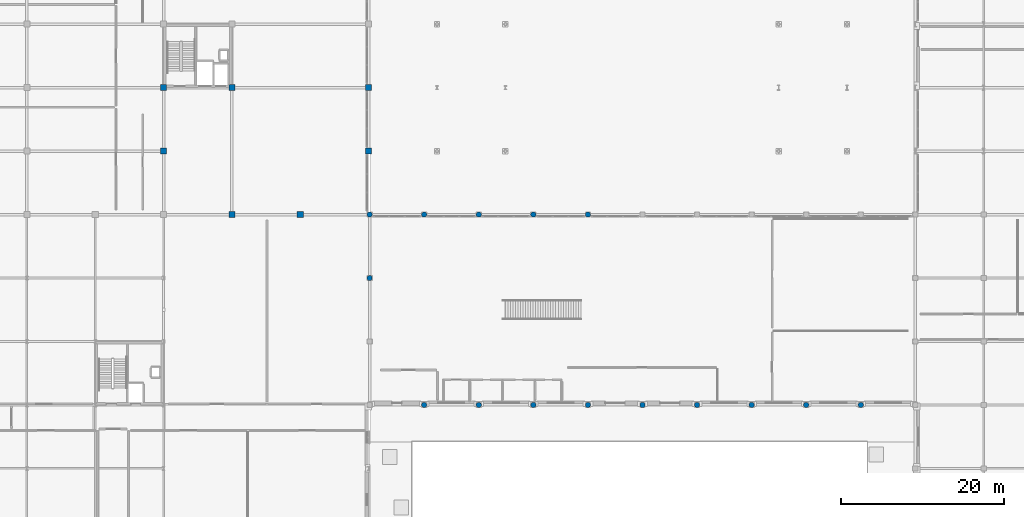
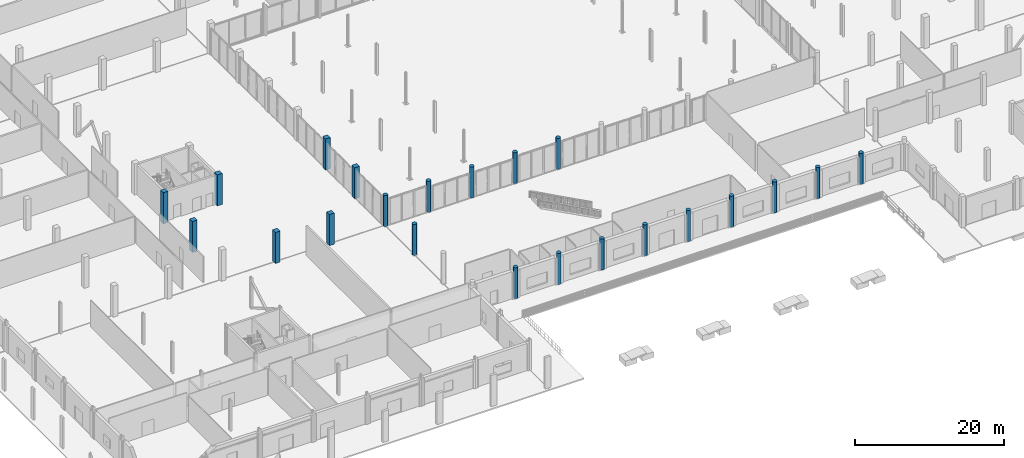
# One storey, part 5 of 80: 22 columns.
"""IFC4 building model written with IfcOpenShell, lengths in metres."""

import ifcopenshell
import ifcopenshell.guid

model = None  # the IFC model being written
_history = None  # IfcOwnerHistory: only IFC2X3 demands one
_inside = {}  # id of a spatial element -> (the spatial element, [elements in it])
_under = {}  # id of a project, library or spatial element -> (it, [spatial elements below it])
_declared = {}  # id of a project -> (the project, [libraries it declares])
_typed = {}  # id of a type object -> (the type object, [elements of that type])
_made_of = {}  # id of a material, layer set ... -> (it, [elements and type objects made of it])


def new_model(schema):
    """Start an empty IFC model of exactly this schema.

    Asked for "IFC4X3", IfcOpenShell would pick the latest addendum, in which some entities
    have other attributes; the version numbers below select the first issue.
    IFC2X3 requires an IfcOwnerHistory on every rooted entity: one is made here for all.
    """
    global model, _history
    if schema == "IFC4X3":
        model = ifcopenshell.file(schema_version=(4, 3, 0, 0))
    else:
        model = ifcopenshell.file(schema=schema)
    _inside.clear()
    _under.clear()
    _declared.clear()
    _typed.clear()
    _made_of.clear()
    _history = None
    if model.schema == "IFC2X3":
        org = make("IfcOrganization", Name="unknown")
        user = make(
            "IfcPersonAndOrganization",
            ThePerson=make("IfcPerson", FamilyName="unknown"),
            TheOrganization=org,
        )
        app = make(
            "IfcApplication",
            ApplicationDeveloper=org,
            Version="unknown",
            ApplicationFullName="unknown",
            ApplicationIdentifier="unknown",
        )
        _history = make(
            "IfcOwnerHistory",
            OwningUser=user,
            OwningApplication=app,
            ChangeAction="ADDED",
            CreationDate=0,
        )
    return model


def make(cls, **values):
    """One entity of the class cls with the attributes given. An attribute that is None is left unset."""
    return model.create_entity(
        cls, **{name: value for name, value in values.items() if value is not None}
    )


def rooted(cls, **values):
    """An entity with a GlobalId (a new one), such as an element, a storey or a relation."""
    return make(cls, GlobalId=ifcopenshell.guid.new(), OwnerHistory=_history, **values)


def si_unit(unit_type, name, prefix=None):
    """IfcSIUnit, for example si_unit("LENGTHUNIT", "METRE", prefix="MILLI")."""
    return make("IfcSIUnit", UnitType=unit_type, Prefix=prefix, Name=name)


def assignment(units):
    """IfcUnitAssignment: the units of a project."""
    return None if units is None else make("IfcUnitAssignment", Units=units)


def point(xyz):
    """IfcCartesianPoint."""
    return None if xyz is None else make("IfcCartesianPoint", Coordinates=xyz)


def direction(xyz):
    """IfcDirection."""
    return None if xyz is None else make("IfcDirection", DirectionRatios=xyz)


def frame(location, z_axis=None, x_axis=None):
    """IfcAxis2Placement3D, a coordinate frame: its origin and axes. An axis left out is left unset."""
    return make(
        "IfcAxis2Placement3D",
        Location=point(location),
        Axis=direction(z_axis),
        RefDirection=direction(x_axis),
    )


def frame_2d(location, x_axis=None):
    """IfcAxis2Placement2D, a coordinate frame in the plane: its origin and x axis."""
    return make(
        "IfcAxis2Placement2D", Location=point(location), RefDirection=direction(x_axis)
    )


def origin():
    """The frame at (0, 0, 0) with its axes left unset."""
    return frame((0.0, 0.0, 0.0))


def origin_2d():
    """The frame at (0, 0) in the plane with its x axis left unset."""
    return frame_2d((0.0, 0.0))


def place(relative_to, where):
    """IfcLocalPlacement: puts the frame where relative to a parent placement (None: the world)."""
    return make(
        "IfcLocalPlacement", PlacementRelTo=relative_to, RelativePlacement=where
    )


def context(
    kind, dimensions, precision=None, world=None, true_north=None, identifier=None
):
    """IfcGeometricRepresentationContext, for example the 3D "Model" context."""
    return make(
        "IfcGeometricRepresentationContext",
        ContextIdentifier=identifier,
        ContextType=kind,
        CoordinateSpaceDimension=dimensions,
        Precision=precision,
        WorldCoordinateSystem=world,
        TrueNorth=true_north,
    )


def subcontext(parent, identifier, kind, view, scale=None):
    """IfcGeometricRepresentationSubContext, for example "Body" below "Model"."""
    return make(
        "IfcGeometricRepresentationSubContext",
        ContextIdentifier=identifier,
        ContextType=kind,
        ParentContext=parent,
        TargetScale=scale,
        TargetView=view,
    )


def project(units=None, contexts=None):
    """IfcProject with its units and contexts."""
    return rooted(
        "IfcProject",
        Name="project",
        RepresentationContexts=contexts,
        UnitsInContext=assignment(units),
    )


def spatial(cls, under=None, at=None, **own):
    """A site, building, storey or space (cls), placed at a placement, below another one or the project."""
    s = rooted(cls, ObjectPlacement=at, **own)
    if under is not None:
        _under.setdefault(under.id(), (under, []))[1].append(s)
    return s


def profile(cls, at=None, kind="AREA", **sizes):
    """A parametric profile (cls). Its sizes go by their IFC names, for example OverallWidth=200.0."""
    return make(cls, ProfileType=kind, Position=at, **sizes)


def rectangle(**sizes):
    """IfcRectangleProfileDef."""
    return profile("IfcRectangleProfileDef", **sizes)


def circle(**sizes):
    """IfcCircleProfileDef."""
    return profile("IfcCircleProfileDef", **sizes)


def extrude(swept, where, along, depth):
    """IfcExtrudedAreaSolid: the profile swept, set in the frame where, extruded along a direction by depth."""
    return make(
        "IfcExtrudedAreaSolid",
        SweptArea=swept,
        Position=where,
        ExtrudedDirection=direction(along),
        Depth=depth,
    )


def shape(context_of_items, identifier, shape_type, items):
    """IfcShapeRepresentation: the items that make up one representation, for example the "Body"."""
    return make(
        "IfcShapeRepresentation",
        ContextOfItems=context_of_items,
        RepresentationIdentifier=identifier,
        RepresentationType=shape_type,
        Items=items,
    )


def material(Name=None, Category=None):
    """IfcMaterial."""
    return make("IfcMaterial", Name=Name, Category=Category)


def material_profile(
    of_material, cross_section, Name=None, Category=None, Priority=None
):
    """IfcMaterialProfile: a cross section and its material."""
    return make(
        "IfcMaterialProfile",
        Name=Name,
        Material=of_material,
        Profile=cross_section,
        Priority=Priority,
        Category=Category,
    )


def profile_set(profiles, Name=None, composite=None):
    """IfcMaterialProfileSet."""
    return make(
        "IfcMaterialProfileSet",
        Name=Name,
        MaterialProfiles=profiles,
        CompositeProfile=composite,
    )


def made_of(thing, what):
    """Note that an element or type object is made of a material, layer set ...; save() writes the relation."""
    if what is not None:
        _made_of.setdefault(what.id(), (what, []))[1].append(thing)
    return thing


def type_object(cls, material=None, **own):
    """A type object (cls), such as IfcWallType, which elements share."""
    return made_of(rooted(cls, **own), material)


def element(
    cls,
    number,
    at=None,
    inside=None,
    cuts=None,
    type_object=None,
    material=None,
    context=None,
    identifier="Body",
    shape_type=None,
    held_by="IfcProductDefinitionShape",
    body=None,
    shapes=None,
    **own,
):
    """One element of the class cls, such as IfcWall. Its Tag is "e" and its number.

    at: its placement. inside: the storey or other place that contains it. cuts: it is an
    opening in that element (IfcRelVoidsElement). A single representation is given by context,
    identifier, shape_type and body (its items); several are given by shapes. held_by: the class
    of the entity that holds the representations. save() writes the other relations.
    """
    e = rooted(cls, Tag="e%d" % number, ObjectPlacement=at, **own)
    if body is not None:
        shapes = [shape(context, identifier, shape_type, body)]
    if shapes is not None:
        e.Representation = make(held_by, Representations=shapes)
    if inside is not None:
        _inside.setdefault(inside.id(), (inside, []))[1].append(e)
    if cuts is not None:
        rooted(
            "IfcRelVoidsElement", RelatingBuildingElement=cuts, RelatedOpeningElement=e
        )
    if type_object is not None:
        _typed.setdefault(type_object.id(), (type_object, []))[1].append(e)
    return made_of(e, material)


def aggregate(whole, parts):
    """IfcRelAggregates: a whole, such as a stair, and the parts it consists of."""
    return rooted("IfcRelAggregates", RelatingObject=whole, RelatedObjects=parts)


def save(model, path):
    """Write the relations noted so far, then the file.

    IfcRelAggregates (storeys below a building ...), IfcRelContainedInSpatialStructure (elements
    in a storey), IfcRelDefinesByType, IfcRelAssociatesMaterial and IfcRelDeclares: one each for
    every whole, place, type object, material and project.
    """
    for whole, parts in _under.values():
        aggregate(whole, parts)
    for where, things in _inside.values():
        rooted(
            "IfcRelContainedInSpatialStructure",
            RelatedElements=things,
            RelatingStructure=where,
        )
    for kind, things in _typed.values():
        rooted("IfcRelDefinesByType", RelatedObjects=things, RelatingType=kind)
    for what, things in _made_of.values():
        rooted("IfcRelAssociatesMaterial", RelatedObjects=things, RelatingMaterial=what)
    for by, libraries in _declared.values():
        rooted("IfcRelDeclares", RelatingContext=by, RelatedDefinitions=libraries)
    model.write(path)


model = new_model("IFC4")

# Units and contexts
model_context = context("Model", 3, precision=1e-05, world=origin(), true_north=direction((0.0, 1.0)))
body_context = subcontext(model_context, "Body", "Model", "MODEL_VIEW")
ifc_project = project(units=[si_unit("LENGTHUNIT", "METRE"), si_unit("AREAUNIT", "SQUARE_METRE"), si_unit("VOLUMEUNIT", "CUBIC_METRE"), si_unit("PLANEANGLEUNIT", "RADIAN"), si_unit("MASSUNIT", "GRAM", prefix="KILO")], contexts=[model_context])

# Site, building, storey
site_placement = place(None, origin())
site = spatial("IfcSite", under=ifc_project, at=site_placement, CompositionType="ELEMENT")
building_placement = place(site_placement, origin())
building = spatial("IfcBuilding", under=site, at=building_placement, Name="Nabrawat Pavilion Hospital", CompositionType="ELEMENT")
storey_placement = place(building_placement, origin())
storey = spatial("IfcBuildingStorey", under=building, at=storey_placement, Name="L00", CompositionType="ELEMENT", Elevation=0.0)

# Columns
ifc_material = material(Name="Concrete C40/50", Category="concrete")
ifc_material_profile_1 = material_profile(ifc_material, circle(Radius=0.324951171875, at=origin_2d()), Name="RC D650")
ifc_profile_set_1 = profile_set([ifc_material_profile_1], Name="Concrete C40/50")
column_type_1 = type_object("IfcColumnType", Name="Expressed Pavilion Column D650", PredefinedType="COLUMN", material=ifc_profile_set_1)
for number, where, z_axis, x_axis, name in (
    (1, (58.919921875, 39.0, 0.0), (0.0, 0.0, 1.0), (1.0, 0.0, 0.0), "L00 Expressed Pavilion Column MH-N00"),
    (2, (65.6279296875, 39.0, 0.0), (0.0, 0.0, 1.0), (1.0, 0.0, 0.0), "L00 Expressed Pavilion Column MH-N01"),
    (3, (72.3359375, 39.0, 0.0), (0.0, 0.0, 1.0), (1.0, 0.0, 0.0), "L00 Expressed Pavilion Column MH-N02"),
    (4, (79.0439453125, 39.0, 0.0), (0.0, 0.0, 1.0), (1.0, 0.0, 0.0), "L00 Expressed Pavilion Column MH-N03"),
    (5, (85.751953125, 39.0, 0.0), (0.0, 0.0, 1.0), (1.0, 0.0, 0.0), "L00 Expressed Pavilion Column MH-N04"),
    (6, (65.6279296875, 15.60009765625, 0.0), (0.0, 0.0, 1.0), (1.0, 0.0, 0.0), "L00 Expressed Pavilion Column MH-S01"),
    (7, (72.3359375, 15.60009765625, 0.0), (0.0, 0.0, 1.0), (1.0, 0.0, 0.0), "L00 Expressed Pavilion Column MH-S02"),
    (8, (79.0439453125, 15.60009765625, 0.0), (0.0, 0.0, 1.0), (1.0, 0.0, 0.0), "L00 Expressed Pavilion Column MH-S03"),
    (9, (85.751953125, 15.60009765625, 0.0), (0.0, 0.0, 1.0), (1.0, 0.0, 0.0), "L00 Expressed Pavilion Column MH-S04"),
    (10, (92.4599609375, 15.60009765625, 0.0), (0.0, 0.0, 1.0), (1.0, 0.0, 0.0), "L00 Expressed Pavilion Column MH-S05"),
    (11, (99.16796875, 15.60009765625, 0.0), (0.0, 0.0, 1.0), (1.0, 0.0, 0.0), "L00 Expressed Pavilion Column MH-S06"),
    (12, (105.8759765625, 15.60009765625, 0.0), (0.0, 0.0, 1.0), (1.0, 0.0, 0.0), "L00 Expressed Pavilion Column MH-S07"),
    (13, (112.583984375, 15.60009765625, 0.0), (0.0, 0.0, 1.0), (1.0, 0.0, 0.0), "L00 Expressed Pavilion Column MH-S08"),
    (14, (119.2919921875, 15.60009765625, 0.0), (0.0, 0.0, 1.0), (1.0, 0.0, 0.0), "L00 Expressed Pavilion Column MH-S09"),
    (15, (58.919921875, 31.199951171875, 0.0), (0.0, 0.0, 1.0), (1.0, 0.0, 0.0), "L00 Expressed Pavilion Column MH-W02"),
):
    element("IfcColumn", number, at=place(storey_placement, frame(where, z_axis=z_axis, x_axis=x_axis)), inside=storey, type_object=column_type_1, Name=name, PredefinedType="COLUMN", context=body_context, shape_type="SweptSolid", body=[
        extrude(circle(Radius=0.324951171875, at=origin_2d()), origin(), (0.0, 0.0, 1.0), 5.10009765625),
    ])
ifc_material_profile_2 = material_profile(ifc_material, rectangle(XDim=0.75, YDim=0.75, at=origin_2d()), Name="RC 750x750")
ifc_profile_set_2 = profile_set([ifc_material_profile_2], Name="Concrete C40/50")
column_type_2 = type_object("IfcColumnType", Name="Surgical Suite RC Column 750x750", PredefinedType="COLUMN", material=ifc_profile_set_2)
for number, where, z_axis, x_axis, name in (
    (16, (33.60009765625, 46.800048828125, 0.0), (0.0, 0.0, 1.0), (1.0, 0.0, 0.0), "L00 Structural Column G-5-G"),
    (17, (33.60009765625, 54.60009765625, 0.0), (0.0, 0.0, 1.0), (1.0, 0.0, 0.0), "L00 Structural Column G-5-H"),
    (18, (42.0, 39.0, 0.0), (0.0, 0.0, 1.0), (1.0, 0.0, 0.0), "L00 Structural Column G-6-F1"),
    (19, (42.0, 54.60009765625, 0.0), (0.0, 0.0, 1.0), (1.0, 0.0, 0.0), "L00 Structural Column G-6-H"),
    (20, (50.39990234375, 39.0, 0.0), (0.0, 0.0, 1.0), (1.0, 0.0, 0.0), "L00 Structural Column G-7-F1"),
    (21, (58.800048828125, 46.800048828125, 0.0), (0.0, 0.0, 1.0), (1.0, 0.0, 0.0), "L00 Structural Column G-8A-G"),
    (22, (58.800048828125, 54.60009765625, 0.0), (0.0, 0.0, 1.0), (1.0, 0.0, 0.0), "L00 Structural Column G-8A-H"),
):
    element("IfcColumn", number, at=place(storey_placement, frame(where, z_axis=z_axis, x_axis=x_axis)), inside=storey, type_object=column_type_2, Name=name, PredefinedType="COLUMN", context=body_context, shape_type="SweptSolid", body=[
        extrude(rectangle(XDim=0.75, YDim=0.75, at=origin_2d()), origin(), (0.0, 0.0, 1.0), 5.10009765625),
    ])

save(model, "model.ifc")
